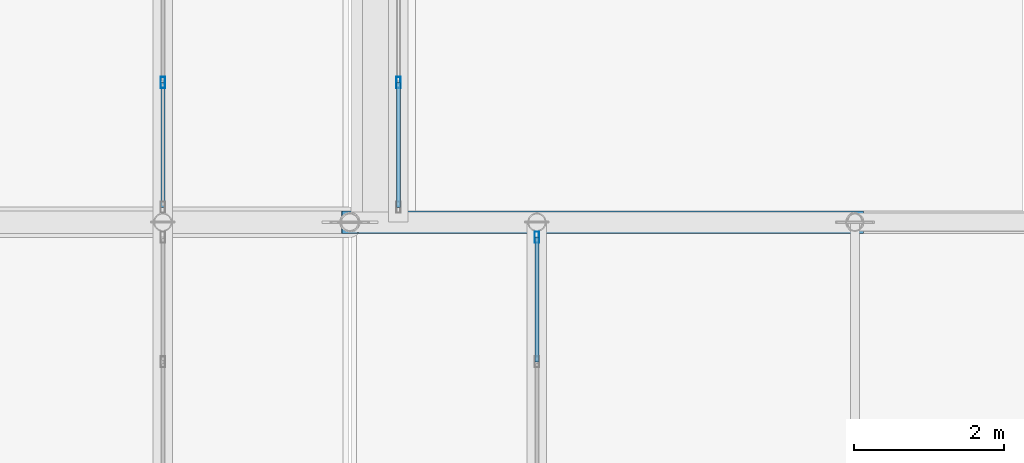
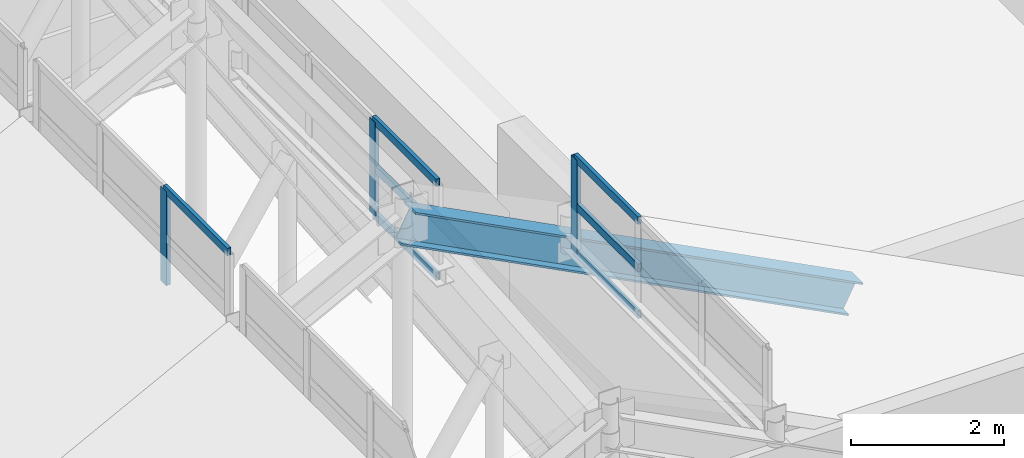
# One storey, part 11 of 84: 11 members, 3 elements without a shape of their own.
"""IFC4 building model written with IfcOpenShell, lengths in metres."""

from ifc_helpers import new_model, si_unit, direction, frame, origin, origin_2d, place, context, subcontext, project, spatial, hollow_rectangle, i_section, extrude, material, layer, layer_set, material_profile, profile_set, type_object, element, aggregate, save


model = new_model("IFC4")

# Units and contexts
model_context = context("Model", 3, precision=1e-05, world=origin(), true_north=direction((0.0, 1.0)))
body_context = subcontext(model_context, "Body", "Model", "MODEL_VIEW")
ifc_project = project(units=[si_unit("LENGTHUNIT", "METRE"), si_unit("AREAUNIT", "SQUARE_METRE"), si_unit("VOLUMEUNIT", "CUBIC_METRE"), si_unit("PLANEANGLEUNIT", "RADIAN"), si_unit("MASSUNIT", "GRAM", prefix="KILO")], contexts=[model_context])

# Site, building, storey
site_placement = place(None, origin())
site = spatial("IfcSite", under=ifc_project, at=site_placement, CompositionType="ELEMENT")
building_placement = place(site_placement, origin())
building = spatial("IfcBuilding", under=site, at=building_placement, Name="Sundgate Opera House", CompositionType="ELEMENT")
storey_placement = place(building_placement, frame((0.0, 0.0, 30.60009765625)))
storey = spatial("IfcBuildingStorey", under=building, at=storey_placement, Name="L06", CompositionType="ELEMENT", Elevation=30.60009765625)

# Curtain wall, member
ifc_material_1 = material(Name="Anodized aluminium and low-iron glass", Category="aluminium")
ifc_layer = layer(ifc_material_1, 0.169921875)
ifc_layer_set = layer_set([ifc_layer], Name="Anodized aluminium and low-iron glass")
curtain_wall_type = type_object("IfcCurtainWallType", Name="CW-LANTERN-POLY", PredefinedType="NOTDEFINED", material=ifc_layer_set)
curtain_wall_1_placement = place(storey_placement, origin())
curtain_wall_1 = element("IfcCurtainWall", 1, at=curtain_wall_1_placement, inside=storey, type_object=curtain_wall_type, Name="L06 Curtain Wall CW170", PredefinedType="NOTDEFINED")
ifc_material_2 = material(Name="Anodized aluminium EN AW-6063", Category="aluminium")
ifc_material_profile_1 = material_profile(ifc_material_2, hollow_rectangle(XDim=0.06005859375, YDim=0.14990234375, WallThickness=0.00390625, at=origin_2d()), Name="CWM 150x60x4")
ifc_profile_set_1 = profile_set([ifc_material_profile_1], Name="Anodized aluminium EN AW-6063")
member_type_1 = type_object("IfcMemberType", Name="CWM-ALU-150x60", PredefinedType="MULLION", material=ifc_profile_set_1)
member_1_placement = place(storey_placement, frame((56.5, 38.199951171875, 12.0), z_axis=(0.0, 0.0, 1.0), x_axis=(1.0, 0.0, 0.0)))
member_1 = element("IfcMember", 2, at=member_1_placement, type_object=member_type_1, Name="CW170 Mullion 4", PredefinedType="MULLION", context=body_context, shape_type="SweptSolid", body=[
    extrude(hollow_rectangle(XDim=0.06005859375, YDim=0.14990234375, WallThickness=0.00390625, at=origin_2d()), origin(), (0.0, 0.0, 1.0), 1.5),
])

curtain_wall_2_placement = place(storey_placement, origin())
curtain_wall_2 = element("IfcCurtainWall", 3, at=curtain_wall_2_placement, inside=storey, type_object=curtain_wall_type, Name="L06 Curtain Wall CW171", PredefinedType="NOTDEFINED")
member_2_placement = place(storey_placement, frame((51.5, 40.2666015625, 12.0), z_axis=(0.0, 0.0, 1.0), x_axis=(1.0, 0.0, 0.0)))
member_2 = element("IfcMember", 4, at=member_2_placement, type_object=member_type_1, Name="CW171 Mullion 3", PredefinedType="MULLION", context=body_context, shape_type="SweptSolid", body=[
    extrude(hollow_rectangle(XDim=0.06005859375, YDim=0.14990234375, WallThickness=0.00390625, at=origin_2d()), origin(), (0.0, 0.0, 1.0), 1.5),
])

curtain_wall_3_placement = place(storey_placement, origin())
curtain_wall_3 = element("IfcCurtainWall", 5, at=curtain_wall_3_placement, inside=storey, type_object=curtain_wall_type, Name="L06 Curtain Wall CW172", PredefinedType="NOTDEFINED")
member_3_placement = place(storey_placement, frame((54.64990234375, 40.2666015625, 12.0), z_axis=(0.0, 0.0, 1.0), x_axis=(1.0, 0.0, 0.0)))
member_3 = element("IfcMember", 6, at=member_3_placement, type_object=member_type_1, Name="CW172 Mullion 2", PredefinedType="MULLION", context=body_context, shape_type="SweptSolid", body=[
    extrude(hollow_rectangle(XDim=0.06005859375, YDim=0.14990234375, WallThickness=0.00390625, at=origin_2d()), origin(), (0.0, 0.0, 1.0), 1.5),
])

# Member
ifc_material_3 = material(Name="Anodized aluminium EN AW-6063", Category="aluminium")
ifc_material_profile_2 = material_profile(ifc_material_3, hollow_rectangle(XDim=0.054931640625, YDim=0.1201171875, WallThickness=0.00390625, at=origin_2d()), Name="CWT 120x55x4")
ifc_profile_set_2 = profile_set([ifc_material_profile_2], Name="Anodized aluminium EN AW-6063")
member_type_2 = type_object("IfcMemberType", Name="CWT-ALU-120x55", PredefinedType="USERDEFINED", material=ifc_profile_set_2)
member_4_placement = place(storey_placement, frame((56.5, 36.533447265625, 12.0), z_axis=(0.0, 1.0, 0.0), x_axis=(-1.0, 0.0, 0.0)))
member_4 = element("IfcMember", 7, at=member_4_placement, type_object=member_type_2, Name="CW170 Transom 7", ObjectType="TRANSOM", PredefinedType="USERDEFINED", context=body_context, shape_type="SweptSolid", body=[
    extrude(hollow_rectangle(XDim=0.054931640625, YDim=0.1201171875, WallThickness=0.00390625, at=origin_2d()), origin(), (0.0, 0.0, 1.0), 1.66650390625),
])

member_5_placement = place(storey_placement, frame((56.5, 36.533447265625, 12.75), z_axis=(0.0, 1.0, 0.0), x_axis=(-1.0, 0.0, 0.0)))
member_5 = element("IfcMember", 8, at=member_5_placement, type_object=member_type_2, Name="CW170 Transom 8", ObjectType="TRANSOM", PredefinedType="USERDEFINED", context=body_context, shape_type="SweptSolid", body=[
    extrude(hollow_rectangle(XDim=0.054931640625, YDim=0.1201171875, WallThickness=0.00390625, at=origin_2d()), origin(), (0.0, 0.0, 1.0), 1.66650390625),
])

member_6_placement = place(storey_placement, frame((56.5, 36.533447265625, 13.5), z_axis=(0.0, 1.0, 0.0), x_axis=(-1.0, 0.0, 0.0)))
member_6 = element("IfcMember", 9, at=member_6_placement, type_object=member_type_2, Name="CW170 Transom 9", ObjectType="TRANSOM", PredefinedType="USERDEFINED", context=body_context, shape_type="SweptSolid", body=[
    extrude(hollow_rectangle(XDim=0.054931640625, YDim=0.1201171875, WallThickness=0.00390625, at=origin_2d()), origin(), (0.0, 0.0, 1.0), 1.66650390625),
])

aggregate(curtain_wall_1, [member_1, member_4, member_5, member_6])

member_7_placement = place(storey_placement, frame((51.5, 40.2666015625, 13.5), z_axis=(0.0, -1.0, 0.0), x_axis=(1.0, 0.0, 0.0)))
member_7 = element("IfcMember", 10, at=member_7_placement, type_object=member_type_2, Name="CW171 Transom 9", ObjectType="TRANSOM", PredefinedType="USERDEFINED", context=body_context, shape_type="SweptSolid", body=[
    extrude(hollow_rectangle(XDim=0.054931640625, YDim=0.1201171875, WallThickness=0.00390625, at=origin_2d()), origin(), (0.0, 0.0, 1.0), 1.66650390625),
])

aggregate(curtain_wall_2, [member_2, member_7])

member_8_placement = place(storey_placement, frame((54.64990234375, 38.60009765625, 12.0), z_axis=(0.0, 1.0, 0.0), x_axis=(-1.0, 0.0, 0.0)))
member_8 = element("IfcMember", 11, at=member_8_placement, type_object=member_type_2, Name="CW172 Transom 1", ObjectType="TRANSOM", PredefinedType="USERDEFINED", context=body_context, shape_type="SweptSolid", body=[
    extrude(hollow_rectangle(XDim=0.054931640625, YDim=0.1201171875, WallThickness=0.00390625, at=origin_2d()), origin(), (0.0, 0.0, 1.0), 1.66650390625),
])

member_9_placement = place(storey_placement, frame((54.64990234375, 38.60009765625, 12.75), z_axis=(0.0, 1.0, 0.0), x_axis=(-1.0, 0.0, 0.0)))
member_9 = element("IfcMember", 12, at=member_9_placement, type_object=member_type_2, Name="CW172 Transom 2", ObjectType="TRANSOM", PredefinedType="USERDEFINED", context=body_context, shape_type="SweptSolid", body=[
    extrude(hollow_rectangle(XDim=0.054931640625, YDim=0.1201171875, WallThickness=0.00390625, at=origin_2d()), origin(), (0.0, 0.0, 1.0), 1.66650390625),
])

member_10_placement = place(storey_placement, frame((54.64990234375, 38.60009765625, 13.5), z_axis=(0.0, 1.0, 0.0), x_axis=(-1.0, 0.0, 0.0)))
member_10 = element("IfcMember", 13, at=member_10_placement, type_object=member_type_2, Name="CW172 Transom 3", ObjectType="TRANSOM", PredefinedType="USERDEFINED", context=body_context, shape_type="SweptSolid", body=[
    extrude(hollow_rectangle(XDim=0.054931640625, YDim=0.1201171875, WallThickness=0.00390625, at=origin_2d()), origin(), (0.0, 0.0, 1.0), 1.66650390625),
])

aggregate(curtain_wall_3, [member_3, member_8, member_9, member_10])

ifc_material_4 = material(Name="Steel S355J2", Category="steel")
ifc_material_profile_3 = material_profile(ifc_material_4, i_section(OverallWidth=0.300048828125, OverallDepth=0.5, WebThickness=0.014404296875, FlangeThickness=0.028076171875, at=origin_2d()), Name="HEB 500")
ifc_profile_set_3 = profile_set([ifc_material_profile_3], Name="Steel S355J2")
member_type_3 = type_object("IfcMemberType", Name="MB-CHORD-HEB500", PredefinedType="CHORD", material=ifc_profile_set_3)
member_11_placement = place(storey_placement, frame((54.0, 38.39990234375, 13.199951171875), z_axis=(0.88829222652, 0.0, -0.459278695678), x_axis=(0.0, 1.0, 0.0)))
element("IfcMember", 14, at=member_11_placement, inside=storey, type_object=member_type_3, Name="L06 Auditorium Truss Top Chord M0061", PredefinedType="CHORD", context=body_context, shape_type="SweptSolid", body=[
    extrude(i_section(OverallWidth=0.300048828125, OverallDepth=0.5, WebThickness=0.014404296875, FlangeThickness=0.028076171875, at=origin_2d()), origin(), (0.0, 0.0, 1.0), 7.598876953125),
])

save(model, "model.ifc")
